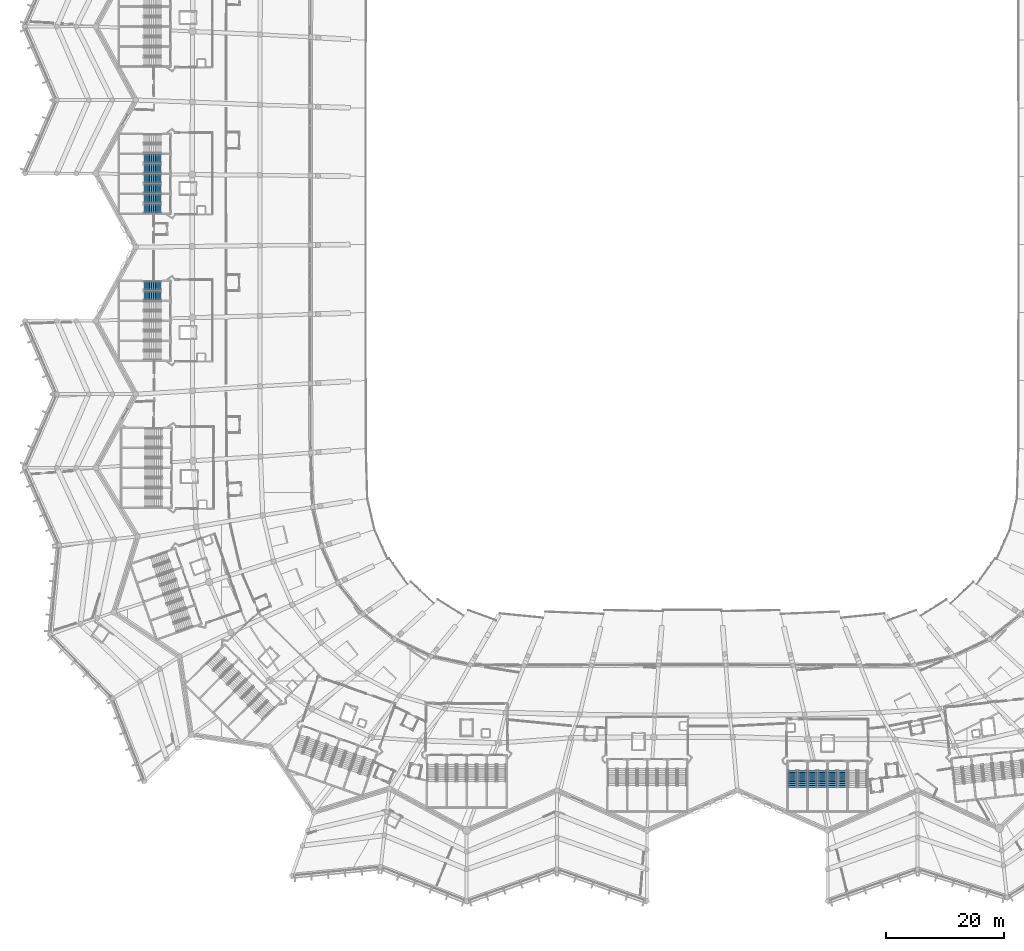
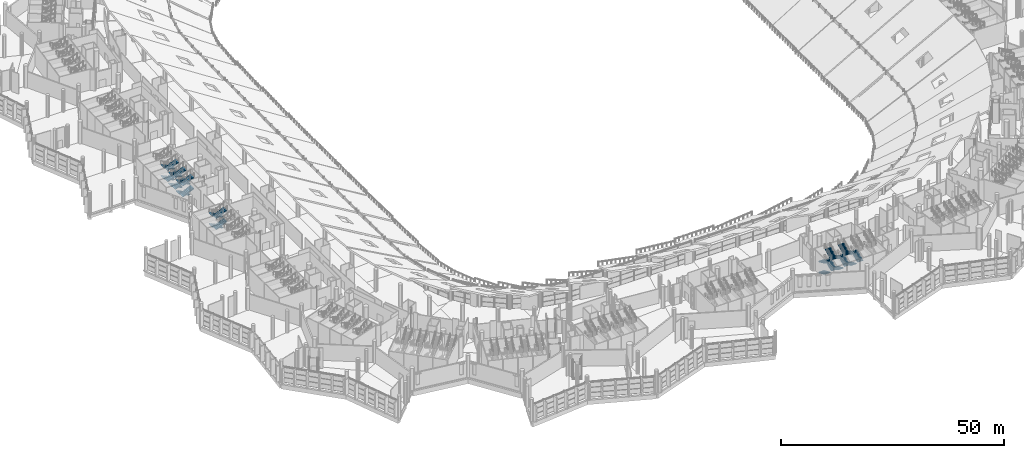
# One storey, part 186 of 249: 27 stair flights, 7 elements without a shape of their own.
"""IFC4 building model written with IfcOpenShell, lengths in metres."""

from ifc_helpers import new_model, si_unit, direction, frame, origin, place, context, subcontext, project, spatial, polyline, outline, extrude, material, type_object, element, aggregate, save


model = new_model("IFC4")

# Units and contexts
model_context = context("Model", 3, precision=1e-05, world=origin(), true_north=direction((0.0, 1.0)))
body_context = subcontext(model_context, "Body", "Model", "MODEL_VIEW")
ifc_project = project(units=[si_unit("LENGTHUNIT", "METRE"), si_unit("AREAUNIT", "SQUARE_METRE"), si_unit("VOLUMEUNIT", "CUBIC_METRE"), si_unit("PLANEANGLEUNIT", "RADIAN"), si_unit("MASSUNIT", "GRAM", prefix="KILO")], contexts=[model_context])

# Site, building, storey
site_placement = place(None, origin())
site = spatial("IfcSite", under=ifc_project, at=site_placement, CompositionType="ELEMENT")
building_placement = place(site_placement, origin())
building = spatial("IfcBuilding", under=site, at=building_placement, Name="Meseta Stadium", CompositionType="ELEMENT")
storey_placement = place(building_placement, frame((0.0, 0.0, 12.0)))
storey = spatial("IfcBuildingStorey", under=building, at=storey_placement, Name="L02", CompositionType="ELEMENT", Elevation=12.0)

# Stair, stair flights
ifc_material_1 = material(Name="Concrete C40/50", Category="concrete")
stair_type = type_object("IfcStairType", Name="Exit stair 4 flights 150 mm risers", PredefinedType="HALF_TURN_STAIR", material=ifc_material_1)
stair_1_placement = place(storey_placement, origin())
stair_1 = element("IfcStair", 1, at=stair_1_placement, inside=storey, type_object=stair_type, Name="ST66 L02", PredefinedType="HALF_TURN_STAIR")
ifc_material_2 = material(Name="Concrete C40/50", Category="concrete")
stair_flight_type = type_object("IfcStairFlightType", Name="Exit stair flight 150 mm risers, 4 per storey", PredefinedType="STRAIGHT", material=ifc_material_2)
stair_flight_1_placement = place(storey_placement, frame((-90.300048828125, 8.800048828125, 0.0), z_axis=(0.0, 0.0, 1.0), x_axis=(-1.0, 0.0, 0.0)))
stair_flight_1 = element("IfcStairFlight", 2, at=stair_flight_1_placement, type_object=stair_flight_type, Name="ST66 L02 flight 1", NumberOfRisers=10, NumberOfTreads=9, PredefinedType="STRAIGHT", RiserHeight=0.15, TreadLength=0.32, context=body_context, shape_type="SweptSolid", body=[
    extrude(outline(polyline([(0.0, 0.0), (0.0, 0.14990234375), (0.320068359375, 0.14990234375), (0.320068359375, 0.300048828125), (0.639892578125, 0.300048828125), (0.639892578125, 0.449951171875), (0.9599609375, 0.449951171875), (0.9599609375, 0.60009765625), (1.280029296875, 0.60009765625), (1.280029296875, 0.75), (1.60009765625, 0.75), (1.60009765625, 0.89990234375), (1.919921875, 0.89990234375), (1.919921875, 1.050048828125), (2.239990234375, 1.050048828125), (2.239990234375, 1.199951171875), (2.56005859375, 1.199951171875), (2.56005859375, 1.35009765625), (2.8798828125, 1.35009765625), (2.8798828125, 1.184326171875), (0.353271484375, 0.0), (0.0, 0.0)])), frame((0.0, 0.75, 0.0), z_axis=(0.0, -1.0, 0.0), x_axis=(1.0, 0.0, 0.0)), (0.0, 0.0, 1.0), 1.5),
])
stair_flight_2_placement = place(storey_placement, frame((-93.179931640625, 7.10009765625, 1.5), z_axis=(0.0, 0.0, 1.0), x_axis=(1.0, 0.0, 0.0)))
stair_flight_2 = element("IfcStairFlight", 3, at=stair_flight_2_placement, type_object=stair_flight_type, Name="ST66 L02 flight 2", NumberOfRisers=10, NumberOfTreads=9, PredefinedType="STRAIGHT", RiserHeight=0.15, TreadLength=0.32, context=body_context, shape_type="SweptSolid", body=[
    extrude(outline(polyline([(0.0, 0.0), (0.0, 0.14990234375), (0.320068359375, 0.14990234375), (0.320068359375, 0.300048828125), (0.639892578125, 0.300048828125), (0.639892578125, 0.449951171875), (0.9599609375, 0.449951171875), (0.9599609375, 0.60009765625), (1.280029296875, 0.60009765625), (1.280029296875, 0.75), (1.60009765625, 0.75), (1.60009765625, 0.89990234375), (1.919921875, 0.89990234375), (1.919921875, 1.050048828125), (2.239990234375, 1.050048828125), (2.239990234375, 1.199951171875), (2.56005859375, 1.199951171875), (2.56005859375, 1.35009765625), (2.8798828125, 1.35009765625), (2.8798828125, 1.184326171875), (0.353271484375, 0.0), (0.0, 0.0)])), frame((0.0, 0.75, 0.0), z_axis=(0.0, -1.0, 0.0), x_axis=(1.0, 0.0, 0.0)), (0.0, 0.0, 1.0), 1.5),
])
stair_flight_3_placement = place(storey_placement, frame((-90.300048828125, 8.800048828125, 3.0), z_axis=(0.0, 0.0, 1.0), x_axis=(-1.0, 0.0, 0.0)))
stair_flight_3 = element("IfcStairFlight", 4, at=stair_flight_3_placement, type_object=stair_flight_type, Name="ST66 L02 flight 3", NumberOfRisers=10, NumberOfTreads=9, PredefinedType="STRAIGHT", RiserHeight=0.15, TreadLength=0.32, context=body_context, shape_type="SweptSolid", body=[
    extrude(outline(polyline([(0.0, 0.0), (0.0, 0.14990234375), (0.320068359375, 0.14990234375), (0.320068359375, 0.300048828125), (0.639892578125, 0.300048828125), (0.639892578125, 0.449951171875), (0.9599609375, 0.449951171875), (0.9599609375, 0.60009765625), (1.280029296875, 0.60009765625), (1.280029296875, 0.75), (1.60009765625, 0.75), (1.60009765625, 0.89990234375), (1.919921875, 0.89990234375), (1.919921875, 1.050048828125), (2.239990234375, 1.050048828125), (2.239990234375, 1.199951171875), (2.56005859375, 1.199951171875), (2.56005859375, 1.35009765625), (2.8798828125, 1.35009765625), (2.8798828125, 1.184326171875), (0.353271484375, 0.0), (0.0, 0.0)])), frame((0.0, 0.75, 0.0), z_axis=(0.0, -1.0, 0.0), x_axis=(1.0, 0.0, 0.0)), (0.0, 0.0, 1.0), 1.5),
])
stair_flight_4_placement = place(storey_placement, frame((-93.179931640625, 7.10009765625, 4.5), z_axis=(0.0, 0.0, 1.0), x_axis=(1.0, 0.0, 0.0)))
stair_flight_4 = element("IfcStairFlight", 5, at=stair_flight_4_placement, type_object=stair_flight_type, Name="ST66 L02 flight 4", NumberOfRisers=10, NumberOfTreads=9, PredefinedType="STRAIGHT", RiserHeight=0.15, TreadLength=0.32, context=body_context, shape_type="SweptSolid", body=[
    extrude(outline(polyline([(0.0, 0.0), (0.0, 0.14990234375), (0.320068359375, 0.14990234375), (0.320068359375, 0.300048828125), (0.639892578125, 0.300048828125), (0.639892578125, 0.449951171875), (0.9599609375, 0.449951171875), (0.9599609375, 0.60009765625), (1.280029296875, 0.60009765625), (1.280029296875, 0.75), (1.60009765625, 0.75), (1.60009765625, 0.89990234375), (1.919921875, 0.89990234375), (1.919921875, 1.050048828125), (2.239990234375, 1.050048828125), (2.239990234375, 1.199951171875), (2.56005859375, 1.199951171875), (2.56005859375, 1.35009765625), (2.8798828125, 1.35009765625), (2.8798828125, 1.184326171875), (0.353271484375, 0.0), (0.0, 0.0)])), frame((0.0, 0.75, 0.0), z_axis=(0.0, -1.0, 0.0), x_axis=(1.0, 0.0, 0.0)), (0.0, 0.0, 1.0), 1.5),
])
aggregate(stair_1, [stair_flight_1, stair_flight_2, stair_flight_3, stair_flight_4])

stair_2_placement = place(storey_placement, origin())
stair_2 = element("IfcStair", 6, at=stair_2_placement, inside=storey, type_object=stair_type, Name="ST67 L02", PredefinedType="HALF_TURN_STAIR")
stair_flight_5_placement = place(storey_placement, frame((-90.300048828125, 5.39990234375, 0.0), z_axis=(0.0, 0.0, 1.0), x_axis=(-1.0, 0.0, 0.0)))
stair_flight_5 = element("IfcStairFlight", 7, at=stair_flight_5_placement, type_object=stair_flight_type, Name="ST67 L02 flight 1", NumberOfRisers=10, NumberOfTreads=9, PredefinedType="STRAIGHT", RiserHeight=0.15, TreadLength=0.32, context=body_context, shape_type="SweptSolid", body=[
    extrude(outline(polyline([(0.0, 0.0), (0.0, 0.14990234375), (0.320068359375, 0.14990234375), (0.320068359375, 0.300048828125), (0.639892578125, 0.300048828125), (0.639892578125, 0.449951171875), (0.9599609375, 0.449951171875), (0.9599609375, 0.60009765625), (1.280029296875, 0.60009765625), (1.280029296875, 0.75), (1.60009765625, 0.75), (1.60009765625, 0.89990234375), (1.919921875, 0.89990234375), (1.919921875, 1.050048828125), (2.239990234375, 1.050048828125), (2.239990234375, 1.199951171875), (2.56005859375, 1.199951171875), (2.56005859375, 1.35009765625), (2.8798828125, 1.35009765625), (2.8798828125, 1.184326171875), (0.353271484375, 0.0), (0.0, 0.0)])), frame((0.0, 0.75, 0.0), z_axis=(0.0, -1.0, 0.0), x_axis=(1.0, 0.0, 0.0)), (0.0, 0.0, 1.0), 1.5),
])
stair_flight_6_placement = place(storey_placement, frame((-93.179931640625, 3.699951171875, 1.5), z_axis=(0.0, 0.0, 1.0), x_axis=(1.0, 0.0, 0.0)))
stair_flight_6 = element("IfcStairFlight", 8, at=stair_flight_6_placement, type_object=stair_flight_type, Name="ST67 L02 flight 2", NumberOfRisers=10, NumberOfTreads=9, PredefinedType="STRAIGHT", RiserHeight=0.15, TreadLength=0.32, context=body_context, shape_type="SweptSolid", body=[
    extrude(outline(polyline([(0.0, 0.0), (0.0, 0.14990234375), (0.320068359375, 0.14990234375), (0.320068359375, 0.300048828125), (0.639892578125, 0.300048828125), (0.639892578125, 0.449951171875), (0.9599609375, 0.449951171875), (0.9599609375, 0.60009765625), (1.280029296875, 0.60009765625), (1.280029296875, 0.75), (1.60009765625, 0.75), (1.60009765625, 0.89990234375), (1.919921875, 0.89990234375), (1.919921875, 1.050048828125), (2.239990234375, 1.050048828125), (2.239990234375, 1.199951171875), (2.56005859375, 1.199951171875), (2.56005859375, 1.35009765625), (2.8798828125, 1.35009765625), (2.8798828125, 1.184326171875), (0.353271484375, 0.0), (0.0, 0.0)])), frame((0.0, 0.75, 0.0), z_axis=(0.0, -1.0, 0.0), x_axis=(1.0, 0.0, 0.0)), (0.0, 0.0, 1.0), 1.5),
])
stair_flight_7_placement = place(storey_placement, frame((-90.300048828125, 5.39990234375, 3.0), z_axis=(0.0, 0.0, 1.0), x_axis=(-1.0, 0.0, 0.0)))
stair_flight_7 = element("IfcStairFlight", 9, at=stair_flight_7_placement, type_object=stair_flight_type, Name="ST67 L02 flight 3", NumberOfRisers=10, NumberOfTreads=9, PredefinedType="STRAIGHT", RiserHeight=0.15, TreadLength=0.32, context=body_context, shape_type="SweptSolid", body=[
    extrude(outline(polyline([(0.0, 0.0), (0.0, 0.14990234375), (0.320068359375, 0.14990234375), (0.320068359375, 0.300048828125), (0.639892578125, 0.300048828125), (0.639892578125, 0.449951171875), (0.9599609375, 0.449951171875), (0.9599609375, 0.60009765625), (1.280029296875, 0.60009765625), (1.280029296875, 0.75), (1.60009765625, 0.75), (1.60009765625, 0.89990234375), (1.919921875, 0.89990234375), (1.919921875, 1.050048828125), (2.239990234375, 1.050048828125), (2.239990234375, 1.199951171875), (2.56005859375, 1.199951171875), (2.56005859375, 1.35009765625), (2.8798828125, 1.35009765625), (2.8798828125, 1.184326171875), (0.353271484375, 0.0), (0.0, 0.0)])), frame((0.0, 0.75, 0.0), z_axis=(0.0, -1.0, 0.0), x_axis=(1.0, 0.0, 0.0)), (0.0, 0.0, 1.0), 1.5),
])
stair_flight_8_placement = place(storey_placement, frame((-93.179931640625, 3.699951171875, 4.5), z_axis=(0.0, 0.0, 1.0), x_axis=(1.0, 0.0, 0.0)))
stair_flight_8 = element("IfcStairFlight", 10, at=stair_flight_8_placement, type_object=stair_flight_type, Name="ST67 L02 flight 4", NumberOfRisers=10, NumberOfTreads=9, PredefinedType="STRAIGHT", RiserHeight=0.15, TreadLength=0.32, context=body_context, shape_type="SweptSolid", body=[
    extrude(outline(polyline([(0.0, 0.0), (0.0, 0.14990234375), (0.320068359375, 0.14990234375), (0.320068359375, 0.300048828125), (0.639892578125, 0.300048828125), (0.639892578125, 0.449951171875), (0.9599609375, 0.449951171875), (0.9599609375, 0.60009765625), (1.280029296875, 0.60009765625), (1.280029296875, 0.75), (1.60009765625, 0.75), (1.60009765625, 0.89990234375), (1.919921875, 0.89990234375), (1.919921875, 1.050048828125), (2.239990234375, 1.050048828125), (2.239990234375, 1.199951171875), (2.56005859375, 1.199951171875), (2.56005859375, 1.35009765625), (2.8798828125, 1.35009765625), (2.8798828125, 1.184326171875), (0.353271484375, 0.0), (0.0, 0.0)])), frame((0.0, 0.75, 0.0), z_axis=(0.0, -1.0, 0.0), x_axis=(1.0, 0.0, 0.0)), (0.0, 0.0, 1.0), 1.5),
])
aggregate(stair_2, [stair_flight_5, stair_flight_6, stair_flight_7, stair_flight_8])

stair_3_placement = place(storey_placement, origin())
stair_3 = element("IfcStair", 11, at=stair_3_placement, inside=storey, type_object=stair_type, Name="ST68 L02", PredefinedType="HALF_TURN_STAIR")
stair_flight_9_placement = place(storey_placement, frame((-90.300048828125, 2.0, 0.0), z_axis=(0.0, 0.0, 1.0), x_axis=(-1.0, 0.0, 0.0)))
stair_flight_9 = element("IfcStairFlight", 12, at=stair_flight_9_placement, type_object=stair_flight_type, Name="ST68 L02 flight 1", NumberOfRisers=10, NumberOfTreads=9, PredefinedType="STRAIGHT", RiserHeight=0.15, TreadLength=0.32, context=body_context, shape_type="SweptSolid", body=[
    extrude(outline(polyline([(0.0, 0.0), (0.0, 0.14990234375), (0.320068359375, 0.14990234375), (0.320068359375, 0.300048828125), (0.639892578125, 0.300048828125), (0.639892578125, 0.449951171875), (0.9599609375, 0.449951171875), (0.9599609375, 0.60009765625), (1.280029296875, 0.60009765625), (1.280029296875, 0.75), (1.60009765625, 0.75), (1.60009765625, 0.89990234375), (1.919921875, 0.89990234375), (1.919921875, 1.050048828125), (2.239990234375, 1.050048828125), (2.239990234375, 1.199951171875), (2.56005859375, 1.199951171875), (2.56005859375, 1.35009765625), (2.8798828125, 1.35009765625), (2.8798828125, 1.184326171875), (0.353271484375, 0.0), (0.0, 0.0)])), frame((0.0, 0.75, 0.0), z_axis=(0.0, -1.0, 0.0), x_axis=(1.0, 0.0, 0.0)), (0.0, 0.0, 1.0), 1.5),
])
stair_flight_10_placement = place(storey_placement, frame((-93.179931640625, 0.300048828125, 1.5), z_axis=(0.0, 0.0, 1.0), x_axis=(1.0, 0.0, 0.0)))
stair_flight_10 = element("IfcStairFlight", 13, at=stair_flight_10_placement, type_object=stair_flight_type, Name="ST68 L02 flight 2", NumberOfRisers=10, NumberOfTreads=9, PredefinedType="STRAIGHT", RiserHeight=0.15, TreadLength=0.32, context=body_context, shape_type="SweptSolid", body=[
    extrude(outline(polyline([(0.0, 0.0), (0.0, 0.14990234375), (0.320068359375, 0.14990234375), (0.320068359375, 0.300048828125), (0.639892578125, 0.300048828125), (0.639892578125, 0.449951171875), (0.9599609375, 0.449951171875), (0.9599609375, 0.60009765625), (1.280029296875, 0.60009765625), (1.280029296875, 0.75), (1.60009765625, 0.75), (1.60009765625, 0.89990234375), (1.919921875, 0.89990234375), (1.919921875, 1.050048828125), (2.239990234375, 1.050048828125), (2.239990234375, 1.199951171875), (2.56005859375, 1.199951171875), (2.56005859375, 1.35009765625), (2.8798828125, 1.35009765625), (2.8798828125, 1.184326171875), (0.353271484375, 0.0), (0.0, 0.0)])), frame((0.0, 0.75, 0.0), z_axis=(0.0, -1.0, 0.0), x_axis=(1.0, 0.0, 0.0)), (0.0, 0.0, 1.0), 1.5),
])
stair_flight_11_placement = place(storey_placement, frame((-90.300048828125, 2.0, 3.0), z_axis=(0.0, 0.0, 1.0), x_axis=(-1.0, 0.0, 0.0)))
stair_flight_11 = element("IfcStairFlight", 14, at=stair_flight_11_placement, type_object=stair_flight_type, Name="ST68 L02 flight 3", NumberOfRisers=10, NumberOfTreads=9, PredefinedType="STRAIGHT", RiserHeight=0.15, TreadLength=0.32, context=body_context, shape_type="SweptSolid", body=[
    extrude(outline(polyline([(0.0, 0.0), (0.0, 0.14990234375), (0.320068359375, 0.14990234375), (0.320068359375, 0.300048828125), (0.639892578125, 0.300048828125), (0.639892578125, 0.449951171875), (0.9599609375, 0.449951171875), (0.9599609375, 0.60009765625), (1.280029296875, 0.60009765625), (1.280029296875, 0.75), (1.60009765625, 0.75), (1.60009765625, 0.89990234375), (1.919921875, 0.89990234375), (1.919921875, 1.050048828125), (2.239990234375, 1.050048828125), (2.239990234375, 1.199951171875), (2.56005859375, 1.199951171875), (2.56005859375, 1.35009765625), (2.8798828125, 1.35009765625), (2.8798828125, 1.184326171875), (0.353271484375, 0.0), (0.0, 0.0)])), frame((0.0, 0.75, 0.0), z_axis=(0.0, -1.0, 0.0), x_axis=(1.0, 0.0, 0.0)), (0.0, 0.0, 1.0), 1.5),
])
stair_flight_12_placement = place(storey_placement, frame((-93.179931640625, 0.300048828125, 4.5), z_axis=(0.0, 0.0, 1.0), x_axis=(1.0, 0.0, 0.0)))
stair_flight_12 = element("IfcStairFlight", 15, at=stair_flight_12_placement, type_object=stair_flight_type, Name="ST68 L02 flight 4", NumberOfRisers=10, NumberOfTreads=9, PredefinedType="STRAIGHT", RiserHeight=0.15, TreadLength=0.32, context=body_context, shape_type="SweptSolid", body=[
    extrude(outline(polyline([(0.0, 0.0), (0.0, 0.14990234375), (0.320068359375, 0.14990234375), (0.320068359375, 0.300048828125), (0.639892578125, 0.300048828125), (0.639892578125, 0.449951171875), (0.9599609375, 0.449951171875), (0.9599609375, 0.60009765625), (1.280029296875, 0.60009765625), (1.280029296875, 0.75), (1.60009765625, 0.75), (1.60009765625, 0.89990234375), (1.919921875, 0.89990234375), (1.919921875, 1.050048828125), (2.239990234375, 1.050048828125), (2.239990234375, 1.199951171875), (2.56005859375, 1.199951171875), (2.56005859375, 1.35009765625), (2.8798828125, 1.35009765625), (2.8798828125, 1.184326171875), (0.353271484375, 0.0), (0.0, 0.0)])), frame((0.0, 0.75, 0.0), z_axis=(0.0, -1.0, 0.0), x_axis=(1.0, 0.0, 0.0)), (0.0, 0.0, 1.0), 1.5),
])
aggregate(stair_3, [stair_flight_9, stair_flight_10, stair_flight_11, stair_flight_12])

stair_4_placement = place(storey_placement, origin())
stair_4 = element("IfcStair", 16, at=stair_4_placement, inside=storey, type_object=stair_type, Name="ST69 L02", PredefinedType="HALF_TURN_STAIR")
stair_flight_13_placement = place(storey_placement, frame((-90.300048828125, -12.800048828125, 0.0), z_axis=(0.0, 0.0, 1.0), x_axis=(-1.0, 0.0, 0.0)))
stair_flight_13 = element("IfcStairFlight", 17, at=stair_flight_13_placement, type_object=stair_flight_type, Name="ST69 L02 flight 1", NumberOfRisers=10, NumberOfTreads=9, PredefinedType="STRAIGHT", RiserHeight=0.15, TreadLength=0.32, context=body_context, shape_type="SweptSolid", body=[
    extrude(outline(polyline([(0.0, 0.0), (0.0, 0.14990234375), (0.320068359375, 0.14990234375), (0.320068359375, 0.300048828125), (0.639892578125, 0.300048828125), (0.639892578125, 0.449951171875), (0.9599609375, 0.449951171875), (0.9599609375, 0.60009765625), (1.280029296875, 0.60009765625), (1.280029296875, 0.75), (1.60009765625, 0.75), (1.60009765625, 0.89990234375), (1.919921875, 0.89990234375), (1.919921875, 1.050048828125), (2.239990234375, 1.050048828125), (2.239990234375, 1.199951171875), (2.56005859375, 1.199951171875), (2.56005859375, 1.35009765625), (2.8798828125, 1.35009765625), (2.8798828125, 1.184326171875), (0.353271484375, 0.0), (0.0, 0.0)])), frame((0.0, 0.75, 0.0), z_axis=(0.0, -1.0, 0.0), x_axis=(1.0, 0.0, 0.0)), (0.0, 0.0, 1.0), 1.5),
])
stair_flight_14_placement = place(storey_placement, frame((-93.179931640625, -14.5, 1.5), z_axis=(0.0, 0.0, 1.0), x_axis=(1.0, 0.0, 0.0)))
stair_flight_14 = element("IfcStairFlight", 18, at=stair_flight_14_placement, type_object=stair_flight_type, Name="ST69 L02 flight 2", NumberOfRisers=10, NumberOfTreads=9, PredefinedType="STRAIGHT", RiserHeight=0.15, TreadLength=0.32, context=body_context, shape_type="SweptSolid", body=[
    extrude(outline(polyline([(0.0, 0.0), (0.0, 0.14990234375), (0.320068359375, 0.14990234375), (0.320068359375, 0.300048828125), (0.639892578125, 0.300048828125), (0.639892578125, 0.449951171875), (0.9599609375, 0.449951171875), (0.9599609375, 0.60009765625), (1.280029296875, 0.60009765625), (1.280029296875, 0.75), (1.60009765625, 0.75), (1.60009765625, 0.89990234375), (1.919921875, 0.89990234375), (1.919921875, 1.050048828125), (2.239990234375, 1.050048828125), (2.239990234375, 1.199951171875), (2.56005859375, 1.199951171875), (2.56005859375, 1.35009765625), (2.8798828125, 1.35009765625), (2.8798828125, 1.184326171875), (0.353271484375, 0.0), (0.0, 0.0)])), frame((0.0, 0.75, 0.0), z_axis=(0.0, -1.0, 0.0), x_axis=(1.0, 0.0, 0.0)), (0.0, 0.0, 1.0), 1.5),
])
stair_flight_15_placement = place(storey_placement, frame((-90.300048828125, -12.800048828125, 3.0), z_axis=(0.0, 0.0, 1.0), x_axis=(-1.0, 0.0, 0.0)))
stair_flight_15 = element("IfcStairFlight", 19, at=stair_flight_15_placement, type_object=stair_flight_type, Name="ST69 L02 flight 3", NumberOfRisers=10, NumberOfTreads=9, PredefinedType="STRAIGHT", RiserHeight=0.15, TreadLength=0.32, context=body_context, shape_type="SweptSolid", body=[
    extrude(outline(polyline([(0.0, 0.0), (0.0, 0.14990234375), (0.320068359375, 0.14990234375), (0.320068359375, 0.300048828125), (0.639892578125, 0.300048828125), (0.639892578125, 0.449951171875), (0.9599609375, 0.449951171875), (0.9599609375, 0.60009765625), (1.280029296875, 0.60009765625), (1.280029296875, 0.75), (1.60009765625, 0.75), (1.60009765625, 0.89990234375), (1.919921875, 0.89990234375), (1.919921875, 1.050048828125), (2.239990234375, 1.050048828125), (2.239990234375, 1.199951171875), (2.56005859375, 1.199951171875), (2.56005859375, 1.35009765625), (2.8798828125, 1.35009765625), (2.8798828125, 1.184326171875), (0.353271484375, 0.0), (0.0, 0.0)])), frame((0.0, 0.75, 0.0), z_axis=(0.0, -1.0, 0.0), x_axis=(1.0, 0.0, 0.0)), (0.0, 0.0, 1.0), 1.5),
])
stair_flight_16_placement = place(storey_placement, frame((-93.179931640625, -14.5, 4.5), z_axis=(0.0, 0.0, 1.0), x_axis=(1.0, 0.0, 0.0)))
stair_flight_16 = element("IfcStairFlight", 20, at=stair_flight_16_placement, type_object=stair_flight_type, Name="ST69 L02 flight 4", NumberOfRisers=10, NumberOfTreads=9, PredefinedType="STRAIGHT", RiserHeight=0.15, TreadLength=0.32, context=body_context, shape_type="SweptSolid", body=[
    extrude(outline(polyline([(0.0, 0.0), (0.0, 0.14990234375), (0.320068359375, 0.14990234375), (0.320068359375, 0.300048828125), (0.639892578125, 0.300048828125), (0.639892578125, 0.449951171875), (0.9599609375, 0.449951171875), (0.9599609375, 0.60009765625), (1.280029296875, 0.60009765625), (1.280029296875, 0.75), (1.60009765625, 0.75), (1.60009765625, 0.89990234375), (1.919921875, 0.89990234375), (1.919921875, 1.050048828125), (2.239990234375, 1.050048828125), (2.239990234375, 1.199951171875), (2.56005859375, 1.199951171875), (2.56005859375, 1.35009765625), (2.8798828125, 1.35009765625), (2.8798828125, 1.184326171875), (0.353271484375, 0.0), (0.0, 0.0)])), frame((0.0, 0.75, 0.0), z_axis=(0.0, -1.0, 0.0), x_axis=(1.0, 0.0, 0.0)), (0.0, 0.0, 1.0), 1.5),
])
aggregate(stair_4, [stair_flight_13, stair_flight_14, stair_flight_15, stair_flight_16])

stair_5_placement = place(storey_placement, origin())
stair_5 = element("IfcStair", 21, at=stair_5_placement, inside=storey, type_object=stair_type, Name="ST97 L02", PredefinedType="HALF_TURN_STAIR")
stair_flight_17_placement = place(storey_placement, frame((17.050048828125, -95.199951171875, 0.0), z_axis=(0.0, 0.0, 1.0), x_axis=(0.0, -1.0, 0.0)))
stair_flight_17 = element("IfcStairFlight", 22, at=stair_flight_17_placement, type_object=stair_flight_type, Name="ST97 L02 flight 1", NumberOfRisers=10, NumberOfTreads=9, PredefinedType="STRAIGHT", RiserHeight=0.15, TreadLength=0.32, context=body_context, shape_type="SweptSolid", body=[
    extrude(outline(polyline([(0.0, 0.0), (0.0, 0.14990234375), (0.320068359375, 0.14990234375), (0.320068359375, 0.300048828125), (0.639892578125, 0.300048828125), (0.639892578125, 0.449951171875), (0.9599609375, 0.449951171875), (0.9599609375, 0.60009765625), (1.280029296875, 0.60009765625), (1.280029296875, 0.75), (1.60009765625, 0.75), (1.60009765625, 0.89990234375), (1.919921875, 0.89990234375), (1.919921875, 1.050048828125), (2.239990234375, 1.050048828125), (2.239990234375, 1.199951171875), (2.56005859375, 1.199951171875), (2.56005859375, 1.35009765625), (2.8798828125, 1.35009765625), (2.8798828125, 1.184326171875), (0.353271484375, 0.0), (0.0, 0.0)])), frame((0.0, 0.75, 0.0), z_axis=(0.0, -1.0, 0.0), x_axis=(1.0, 0.0, 0.0)), (0.0, 0.0, 1.0), 1.5),
])
stair_flight_18_placement = place(storey_placement, frame((18.75, -98.080078125, 1.5), z_axis=(0.0, 0.0, 1.0), x_axis=(0.0, 1.0, 0.0)))
stair_flight_18 = element("IfcStairFlight", 23, at=stair_flight_18_placement, type_object=stair_flight_type, Name="ST97 L02 flight 2", NumberOfRisers=10, NumberOfTreads=9, PredefinedType="STRAIGHT", RiserHeight=0.15, TreadLength=0.32, context=body_context, shape_type="SweptSolid", body=[
    extrude(outline(polyline([(0.0, 0.0), (0.0, 0.14990234375), (0.320068359375, 0.14990234375), (0.320068359375, 0.300048828125), (0.639892578125, 0.300048828125), (0.639892578125, 0.449951171875), (0.9599609375, 0.449951171875), (0.9599609375, 0.60009765625), (1.280029296875, 0.60009765625), (1.280029296875, 0.75), (1.60009765625, 0.75), (1.60009765625, 0.89990234375), (1.919921875, 0.89990234375), (1.919921875, 1.050048828125), (2.239990234375, 1.050048828125), (2.239990234375, 1.199951171875), (2.56005859375, 1.199951171875), (2.56005859375, 1.35009765625), (2.8798828125, 1.35009765625), (2.8798828125, 1.184326171875), (0.353271484375, 0.0), (0.0, 0.0)])), frame((0.0, 0.75, 0.0), z_axis=(0.0, -1.0, 0.0), x_axis=(1.0, 0.0, 0.0)), (0.0, 0.0, 1.0), 1.5),
])
stair_flight_19_placement = place(storey_placement, frame((17.050048828125, -95.199951171875, 3.0), z_axis=(0.0, 0.0, 1.0), x_axis=(0.0, -1.0, 0.0)))
stair_flight_19 = element("IfcStairFlight", 24, at=stair_flight_19_placement, type_object=stair_flight_type, Name="ST97 L02 flight 3", NumberOfRisers=10, NumberOfTreads=9, PredefinedType="STRAIGHT", RiserHeight=0.15, TreadLength=0.32, context=body_context, shape_type="SweptSolid", body=[
    extrude(outline(polyline([(0.0, 0.0), (0.0, 0.14990234375), (0.320068359375, 0.14990234375), (0.320068359375, 0.300048828125), (0.639892578125, 0.300048828125), (0.639892578125, 0.449951171875), (0.9599609375, 0.449951171875), (0.9599609375, 0.60009765625), (1.280029296875, 0.60009765625), (1.280029296875, 0.75), (1.60009765625, 0.75), (1.60009765625, 0.89990234375), (1.919921875, 0.89990234375), (1.919921875, 1.050048828125), (2.239990234375, 1.050048828125), (2.239990234375, 1.199951171875), (2.56005859375, 1.199951171875), (2.56005859375, 1.35009765625), (2.8798828125, 1.35009765625), (2.8798828125, 1.184326171875), (0.353271484375, 0.0), (0.0, 0.0)])), frame((0.0, 0.75, 0.0), z_axis=(0.0, -1.0, 0.0), x_axis=(1.0, 0.0, 0.0)), (0.0, 0.0, 1.0), 1.5),
])
stair_flight_20_placement = place(storey_placement, frame((18.75, -98.080078125, 4.5), z_axis=(0.0, 0.0, 1.0), x_axis=(0.0, 1.0, 0.0)))
stair_flight_20 = element("IfcStairFlight", 25, at=stair_flight_20_placement, type_object=stair_flight_type, Name="ST97 L02 flight 4", NumberOfRisers=10, NumberOfTreads=9, PredefinedType="STRAIGHT", RiserHeight=0.15, TreadLength=0.32, context=body_context, shape_type="SweptSolid", body=[
    extrude(outline(polyline([(0.0, 0.0), (0.0, 0.14990234375), (0.320068359375, 0.14990234375), (0.320068359375, 0.300048828125), (0.639892578125, 0.300048828125), (0.639892578125, 0.449951171875), (0.9599609375, 0.449951171875), (0.9599609375, 0.60009765625), (1.280029296875, 0.60009765625), (1.280029296875, 0.75), (1.60009765625, 0.75), (1.60009765625, 0.89990234375), (1.919921875, 0.89990234375), (1.919921875, 1.050048828125), (2.239990234375, 1.050048828125), (2.239990234375, 1.199951171875), (2.56005859375, 1.199951171875), (2.56005859375, 1.35009765625), (2.8798828125, 1.35009765625), (2.8798828125, 1.184326171875), (0.353271484375, 0.0), (0.0, 0.0)])), frame((0.0, 0.75, 0.0), z_axis=(0.0, -1.0, 0.0), x_axis=(1.0, 0.0, 0.0)), (0.0, 0.0, 1.0), 1.5),
])
aggregate(stair_5, [stair_flight_17, stair_flight_18, stair_flight_19, stair_flight_20])

stair_6_placement = place(storey_placement, origin())
stair_6 = element("IfcStair", 26, at=stair_6_placement, inside=storey, type_object=stair_type, Name="ST98 L02", PredefinedType="HALF_TURN_STAIR")
stair_flight_21_placement = place(storey_placement, frame((20.449951171875, -95.199951171875, 0.0), z_axis=(0.0, 0.0, 1.0), x_axis=(0.0, -1.0, 0.0)))
stair_flight_21 = element("IfcStairFlight", 27, at=stair_flight_21_placement, type_object=stair_flight_type, Name="ST98 L02 flight 1", NumberOfRisers=10, NumberOfTreads=9, PredefinedType="STRAIGHT", RiserHeight=0.15, TreadLength=0.32, context=body_context, shape_type="SweptSolid", body=[
    extrude(outline(polyline([(0.0, 0.0), (0.0, 0.14990234375), (0.320068359375, 0.14990234375), (0.320068359375, 0.300048828125), (0.639892578125, 0.300048828125), (0.639892578125, 0.449951171875), (0.9599609375, 0.449951171875), (0.9599609375, 0.60009765625), (1.280029296875, 0.60009765625), (1.280029296875, 0.75), (1.60009765625, 0.75), (1.60009765625, 0.89990234375), (1.919921875, 0.89990234375), (1.919921875, 1.050048828125), (2.239990234375, 1.050048828125), (2.239990234375, 1.199951171875), (2.56005859375, 1.199951171875), (2.56005859375, 1.35009765625), (2.8798828125, 1.35009765625), (2.8798828125, 1.184326171875), (0.353271484375, 0.0), (0.0, 0.0)])), frame((0.0, 0.75, 0.0), z_axis=(0.0, -1.0, 0.0), x_axis=(1.0, 0.0, 0.0)), (0.0, 0.0, 1.0), 1.5),
])
stair_flight_22_placement = place(storey_placement, frame((22.14990234375, -98.080078125, 1.5), z_axis=(0.0, 0.0, 1.0), x_axis=(0.0, 1.0, 0.0)))
stair_flight_22 = element("IfcStairFlight", 28, at=stair_flight_22_placement, type_object=stair_flight_type, Name="ST98 L02 flight 2", NumberOfRisers=10, NumberOfTreads=9, PredefinedType="STRAIGHT", RiserHeight=0.15, TreadLength=0.32, context=body_context, shape_type="SweptSolid", body=[
    extrude(outline(polyline([(0.0, 0.0), (0.0, 0.14990234375), (0.320068359375, 0.14990234375), (0.320068359375, 0.300048828125), (0.639892578125, 0.300048828125), (0.639892578125, 0.449951171875), (0.9599609375, 0.449951171875), (0.9599609375, 0.60009765625), (1.280029296875, 0.60009765625), (1.280029296875, 0.75), (1.60009765625, 0.75), (1.60009765625, 0.89990234375), (1.919921875, 0.89990234375), (1.919921875, 1.050048828125), (2.239990234375, 1.050048828125), (2.239990234375, 1.199951171875), (2.56005859375, 1.199951171875), (2.56005859375, 1.35009765625), (2.8798828125, 1.35009765625), (2.8798828125, 1.184326171875), (0.353271484375, 0.0), (0.0, 0.0)])), frame((0.0, 0.75, 0.0), z_axis=(0.0, -1.0, 0.0), x_axis=(1.0, 0.0, 0.0)), (0.0, 0.0, 1.0), 1.5),
])
stair_flight_23_placement = place(storey_placement, frame((20.449951171875, -95.199951171875, 3.0), z_axis=(0.0, 0.0, 1.0), x_axis=(0.0, -1.0, 0.0)))
stair_flight_23 = element("IfcStairFlight", 29, at=stair_flight_23_placement, type_object=stair_flight_type, Name="ST98 L02 flight 3", NumberOfRisers=10, NumberOfTreads=9, PredefinedType="STRAIGHT", RiserHeight=0.15, TreadLength=0.32, context=body_context, shape_type="SweptSolid", body=[
    extrude(outline(polyline([(0.0, 0.0), (0.0, 0.14990234375), (0.320068359375, 0.14990234375), (0.320068359375, 0.300048828125), (0.639892578125, 0.300048828125), (0.639892578125, 0.449951171875), (0.9599609375, 0.449951171875), (0.9599609375, 0.60009765625), (1.280029296875, 0.60009765625), (1.280029296875, 0.75), (1.60009765625, 0.75), (1.60009765625, 0.89990234375), (1.919921875, 0.89990234375), (1.919921875, 1.050048828125), (2.239990234375, 1.050048828125), (2.239990234375, 1.199951171875), (2.56005859375, 1.199951171875), (2.56005859375, 1.35009765625), (2.8798828125, 1.35009765625), (2.8798828125, 1.184326171875), (0.353271484375, 0.0), (0.0, 0.0)])), frame((0.0, 0.75, 0.0), z_axis=(0.0, -1.0, 0.0), x_axis=(1.0, 0.0, 0.0)), (0.0, 0.0, 1.0), 1.5),
])
stair_flight_24_placement = place(storey_placement, frame((22.14990234375, -98.080078125, 4.5), z_axis=(0.0, 0.0, 1.0), x_axis=(0.0, 1.0, 0.0)))
stair_flight_24 = element("IfcStairFlight", 30, at=stair_flight_24_placement, type_object=stair_flight_type, Name="ST98 L02 flight 4", NumberOfRisers=10, NumberOfTreads=9, PredefinedType="STRAIGHT", RiserHeight=0.15, TreadLength=0.32, context=body_context, shape_type="SweptSolid", body=[
    extrude(outline(polyline([(0.0, 0.0), (0.0, 0.14990234375), (0.320068359375, 0.14990234375), (0.320068359375, 0.300048828125), (0.639892578125, 0.300048828125), (0.639892578125, 0.449951171875), (0.9599609375, 0.449951171875), (0.9599609375, 0.60009765625), (1.280029296875, 0.60009765625), (1.280029296875, 0.75), (1.60009765625, 0.75), (1.60009765625, 0.89990234375), (1.919921875, 0.89990234375), (1.919921875, 1.050048828125), (2.239990234375, 1.050048828125), (2.239990234375, 1.199951171875), (2.56005859375, 1.199951171875), (2.56005859375, 1.35009765625), (2.8798828125, 1.35009765625), (2.8798828125, 1.184326171875), (0.353271484375, 0.0), (0.0, 0.0)])), frame((0.0, 0.75, 0.0), z_axis=(0.0, -1.0, 0.0), x_axis=(1.0, 0.0, 0.0)), (0.0, 0.0, 1.0), 1.5),
])
aggregate(stair_6, [stair_flight_21, stair_flight_22, stair_flight_23, stair_flight_24])

stair_7_placement = place(storey_placement, origin())
stair_7 = element("IfcStair", 31, at=stair_7_placement, inside=storey, type_object=stair_type, Name="ST99 L02", PredefinedType="HALF_TURN_STAIR")
stair_flight_25_placement = place(storey_placement, frame((23.85009765625, -95.199951171875, 0.0), z_axis=(0.0, 0.0, 1.0), x_axis=(0.0, -1.0, 0.0)))
stair_flight_25 = element("IfcStairFlight", 32, at=stair_flight_25_placement, type_object=stair_flight_type, Name="ST99 L02 flight 1", NumberOfRisers=10, NumberOfTreads=9, PredefinedType="STRAIGHT", RiserHeight=0.15, TreadLength=0.32, context=body_context, shape_type="SweptSolid", body=[
    extrude(outline(polyline([(0.0, 0.0), (0.0, 0.14990234375), (0.320068359375, 0.14990234375), (0.320068359375, 0.300048828125), (0.639892578125, 0.300048828125), (0.639892578125, 0.449951171875), (0.9599609375, 0.449951171875), (0.9599609375, 0.60009765625), (1.280029296875, 0.60009765625), (1.280029296875, 0.75), (1.60009765625, 0.75), (1.60009765625, 0.89990234375), (1.919921875, 0.89990234375), (1.919921875, 1.050048828125), (2.239990234375, 1.050048828125), (2.239990234375, 1.199951171875), (2.56005859375, 1.199951171875), (2.56005859375, 1.35009765625), (2.8798828125, 1.35009765625), (2.8798828125, 1.184326171875), (0.353271484375, 0.0), (0.0, 0.0)])), frame((0.0, 0.75, 0.0), z_axis=(0.0, -1.0, 0.0), x_axis=(1.0, 0.0, 0.0)), (0.0, 0.0, 1.0), 1.5),
])
stair_flight_26_placement = place(storey_placement, frame((25.550048828125, -98.080078125, 1.5), z_axis=(0.0, 0.0, 1.0), x_axis=(0.0, 1.0, 0.0)))
stair_flight_26 = element("IfcStairFlight", 33, at=stair_flight_26_placement, type_object=stair_flight_type, Name="ST99 L02 flight 2", NumberOfRisers=10, NumberOfTreads=9, PredefinedType="STRAIGHT", RiserHeight=0.15, TreadLength=0.32, context=body_context, shape_type="SweptSolid", body=[
    extrude(outline(polyline([(0.0, 0.0), (0.0, 0.14990234375), (0.320068359375, 0.14990234375), (0.320068359375, 0.300048828125), (0.639892578125, 0.300048828125), (0.639892578125, 0.449951171875), (0.9599609375, 0.449951171875), (0.9599609375, 0.60009765625), (1.280029296875, 0.60009765625), (1.280029296875, 0.75), (1.60009765625, 0.75), (1.60009765625, 0.89990234375), (1.919921875, 0.89990234375), (1.919921875, 1.050048828125), (2.239990234375, 1.050048828125), (2.239990234375, 1.199951171875), (2.56005859375, 1.199951171875), (2.56005859375, 1.35009765625), (2.8798828125, 1.35009765625), (2.8798828125, 1.184326171875), (0.353271484375, 0.0), (0.0, 0.0)])), frame((0.0, 0.75, 0.0), z_axis=(0.0, -1.0, 0.0), x_axis=(1.0, 0.0, 0.0)), (0.0, 0.0, 1.0), 1.5),
])
stair_flight_27_placement = place(storey_placement, frame((23.85009765625, -95.199951171875, 3.0), z_axis=(0.0, 0.0, 1.0), x_axis=(0.0, -1.0, 0.0)))
stair_flight_27 = element("IfcStairFlight", 34, at=stair_flight_27_placement, type_object=stair_flight_type, Name="ST99 L02 flight 3", NumberOfRisers=10, NumberOfTreads=9, PredefinedType="STRAIGHT", RiserHeight=0.15, TreadLength=0.32, context=body_context, shape_type="SweptSolid", body=[
    extrude(outline(polyline([(0.0, 0.0), (0.0, 0.14990234375), (0.320068359375, 0.14990234375), (0.320068359375, 0.300048828125), (0.639892578125, 0.300048828125), (0.639892578125, 0.449951171875), (0.9599609375, 0.449951171875), (0.9599609375, 0.60009765625), (1.280029296875, 0.60009765625), (1.280029296875, 0.75), (1.60009765625, 0.75), (1.60009765625, 0.89990234375), (1.919921875, 0.89990234375), (1.919921875, 1.050048828125), (2.239990234375, 1.050048828125), (2.239990234375, 1.199951171875), (2.56005859375, 1.199951171875), (2.56005859375, 1.35009765625), (2.8798828125, 1.35009765625), (2.8798828125, 1.184326171875), (0.353271484375, 0.0), (0.0, 0.0)])), frame((0.0, 0.75, 0.0), z_axis=(0.0, -1.0, 0.0), x_axis=(1.0, 0.0, 0.0)), (0.0, 0.0, 1.0), 1.5),
])
aggregate(stair_7, [stair_flight_25, stair_flight_26, stair_flight_27])

save(model, "model.ifc")
